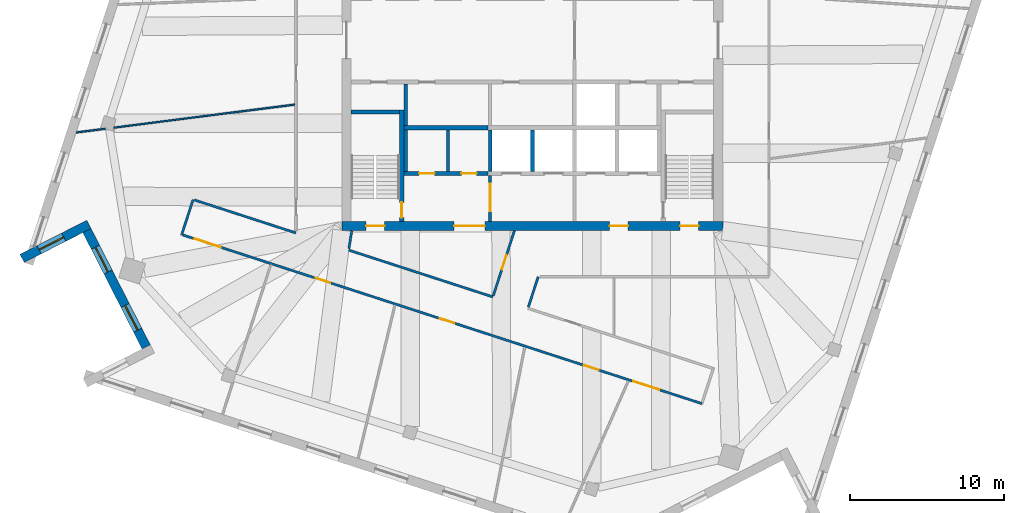
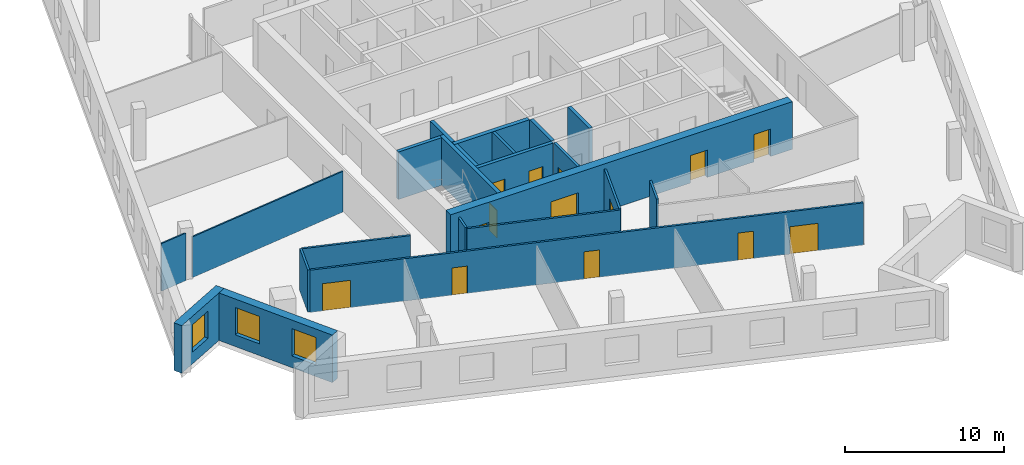
# One storey, part 6 of 13: 22 walls, 14 doors, 3 windows, 17 openings.
"""IFC4 building model written with IfcOpenShell, lengths in metres."""

from ifc_helpers import new_model, si_unit, direction, frame, frame_2d, origin, place, context, subcontext, project, spatial, rectangle, extrude, material, layer, layer_set, type_object, element, fill, save


model = new_model("IFC4")

# Units and contexts
model_context = context("Model", 3, precision=1e-05, world=origin(), true_north=direction((0.0, 1.0)))
body_context = subcontext(model_context, "Body", "Model", "MODEL_VIEW")
ifc_project = project(units=[si_unit("LENGTHUNIT", "METRE"), si_unit("AREAUNIT", "SQUARE_METRE"), si_unit("VOLUMEUNIT", "CUBIC_METRE"), si_unit("PLANEANGLEUNIT", "RADIAN"), si_unit("MASSUNIT", "GRAM", prefix="KILO")], contexts=[model_context])

# Site, building, storey
site_placement = place(None, origin())
site = spatial("IfcSite", under=ifc_project, at=site_placement, CompositionType="ELEMENT")
building_placement = place(site_placement, origin())
building = spatial("IfcBuilding", under=site, at=building_placement, Name="Dilmun Exchange Tower", CompositionType="ELEMENT")
storey_placement = place(building_placement, frame((0.0, 0.0, 320.5)))
storey = spatial("IfcBuildingStorey", under=building, at=storey_placement, Name="L76", CompositionType="ELEMENT", Elevation=320.5)

# Wall, opening, door
ifc_material_1 = material(Name="Concrete C40/50", Category="concrete")
ifc_layer_1 = layer(ifc_material_1, 0.199951171875)
ifc_layer_set_1 = layer_set([ifc_layer_1], Name="Concrete C40/50")
wall_type_1 = type_object("IfcWallType", Name="Core partition wall 200", PredefinedType="PARTITIONING", material=ifc_layer_set_1)
wall_1_placement = place(storey_placement, frame((-2.75, -11.794921875, 0.0), z_axis=(0.0, 0.0, 1.0), x_axis=(0.0, 1.0, 0.0)))
wall_1 = element("IfcWall", 1, at=wall_1_placement, inside=storey, type_object=wall_type_1, Name="L76 core partition wall 01", PredefinedType="PARTITIONING", context=body_context, shape_type="SweptSolid", body=[
    extrude(rectangle(XDim=2.989990234375, YDim=0.199951171875, at=frame_2d((1.4951171875, 0.0))), origin(), (0.0, 0.0, 1.0), 3.64990234375),
])
opening_1_placement = place(wall_1_placement, frame((0.657470703125, 0.0, 0.0)))
opening_1 = element("IfcOpeningElement", 2, at=opening_1_placement, cuts=wall_1, Name="Opening CD5", PredefinedType="OPENING", context=body_context, shape_type="SweptSolid", body=[
    extrude(rectangle(XDim=1.800048828125, YDim=2.10009765625, at=frame_2d((0.89990234375, 1.050048828125))), frame((0.0, 0.10986328125, 0.0), z_axis=(0.0, -1.0, 0.0), x_axis=(1.0, 0.0, 0.0)), (0.0, 0.0, 1.0), 0.219970703125),
])
ifc_material_2 = material(Name="Fire-rated steel door set", Category="steel")
door_type_1 = type_object("IfcDoorType", Name="Stair exit door 1800x2100", OperationType="SINGLE_SWING_LEFT", PredefinedType="DOOR", material=ifc_material_2)
door_1_placement = place(opening_1_placement, origin())
door_1 = element("IfcDoor", 3, at=door_1_placement, inside=storey, type_object=door_type_1, Name="L76 door Service lobby east", OperationType="SINGLE_SWING_LEFT", OverallHeight=2.10009765625, OverallWidth=1.800048828125, PredefinedType="DOOR", context=body_context, shape_type="SweptSolid", body=[
    extrude(rectangle(XDim=1.800048828125, YDim=2.10009765625, at=frame_2d((0.89990234375, 1.050048828125))), frame((0.0, 0.02490234375, 0.0), z_axis=(0.0, -1.0, 0.0), x_axis=(1.0, 0.0, 0.0)), (0.0, 0.0, 1.0), 0.050048828125),
])
fill(opening_1, door_1)

# Wall
wall_2_placement = place(storey_placement, frame((-5.5, -8.544921875, 0.0), z_axis=(0.0, 0.0, 1.0), x_axis=(0.0, 1.0, 0.0)))
element("IfcWall", 4, at=wall_2_placement, inside=storey, type_object=wall_type_1, Name="L76 core partition wall 05", PredefinedType="PARTITIONING", context=body_context, shape_type="SweptSolid", body=[
    extrude(rectangle(XDim=2.68994140625, YDim=0.199951171875, at=frame_2d((1.344970703125, 0.0))), origin(), (0.0, 0.0, 1.0), 3.64990234375),
])

# Wall, openings, doors
ifc_layer_2 = layer(ifc_material_1, 0.25)
ifc_layer_set_2 = layer_set([ifc_layer_2], Name="Concrete C40/50")
wall_type_2 = type_object("IfcWallType", Name="Core partition wall 250", PredefinedType="PARTITIONING", material=ifc_layer_set_2)
wall_3_placement = place(storey_placement, frame((-8.3701171875, -8.675048828125, 0.0), z_axis=(0.0, 0.0, 1.0), x_axis=(1.0, 0.0, 0.0)))
wall_3 = element("IfcWall", 5, at=wall_3_placement, inside=storey, type_object=wall_type_2, Name="L76 core partition wall 03", PredefinedType="PARTITIONING", context=body_context, shape_type="SweptSolid", body=[
    extrude(rectangle(XDim=5.490234375, YDim=0.25, at=frame_2d((2.7451171875, 0.0))), origin(), (0.0, 0.0, 1.0), 3.64990234375),
])
opening_2_placement = place(wall_3_placement, frame((0.9951171875, 0.0, 0.0)))
opening_2 = element("IfcOpeningElement", 6, at=opening_2_placement, cuts=wall_3, Name="Opening CD4", PredefinedType="OPENING", context=body_context, shape_type="SweptSolid", body=[
    extrude(rectangle(XDim=1.0, YDim=2.10009765625, at=frame_2d((0.5, 1.050048828125))), frame((0.0, 0.135009765625, 0.0), z_axis=(0.0, -1.0, 0.0), x_axis=(1.0, 0.0, 0.0)), (0.0, 0.0, 1.0), 0.27001953125),
])
opening_3_placement = place(wall_3_placement, frame((3.7451171875, 0.0, 0.0)))
opening_3 = element("IfcOpeningElement", 7, at=opening_3_placement, cuts=wall_3, Name="Opening CD4", PredefinedType="OPENING", context=body_context, shape_type="SweptSolid", body=[
    extrude(rectangle(XDim=1.0, YDim=2.10009765625, at=frame_2d((0.5, 1.050048828125))), frame((0.0, 0.135009765625, 0.0), z_axis=(0.0, -1.0, 0.0), x_axis=(1.0, 0.0, 0.0)), (0.0, 0.0, 1.0), 0.27001953125),
])
door_type_2 = type_object("IfcDoorType", Name="Core room door 1000x2100", OperationType="SINGLE_SWING_LEFT", PredefinedType="DOOR", material=ifc_material_2)
door_2_placement = place(opening_2_placement, origin())
door_2 = element("IfcDoor", 8, at=door_2_placement, inside=storey, type_object=door_type_2, Name="L76 door Male WC", OperationType="SINGLE_SWING_LEFT", OverallHeight=2.10009765625, OverallWidth=1.0, PredefinedType="DOOR", context=body_context, shape_type="SweptSolid", body=[
    extrude(rectangle(XDim=1.0, YDim=2.10009765625, at=frame_2d((0.5, 1.050048828125))), frame((0.0, 0.02490234375, 0.0), z_axis=(0.0, -1.0, 0.0), x_axis=(1.0, 0.0, 0.0)), (0.0, 0.0, 1.0), 0.050048828125),
])
fill(opening_2, door_2)
door_3_placement = place(opening_3_placement, origin())
door_3 = element("IfcDoor", 9, at=door_3_placement, inside=storey, type_object=door_type_2, Name="L76 door Female WC", OperationType="SINGLE_SWING_LEFT", OverallHeight=2.10009765625, OverallWidth=1.0, PredefinedType="DOOR", context=body_context, shape_type="SweptSolid", body=[
    extrude(rectangle(XDim=1.0, YDim=2.10009765625, at=frame_2d((0.5, 1.050048828125))), frame((0.0, 0.02490234375, 0.0), z_axis=(0.0, -1.0, 0.0), x_axis=(1.0, 0.0, 0.0)), (0.0, 0.0, 1.0), 0.050048828125),
])
fill(opening_3, door_3)

# Walls
for number, where, z_axis, x_axis, name in (
    (10, (-8.25, -8.544921875, 0.0), (0.0, 0.0, 1.0), (0.0, 1.0, 0.0), "L76 core partition wall 04"),
    (11, (-8.25, -5.544921875, 0.0), (0.0, 0.0, 1.0), (0.0, 1.0, 0.0), "L76 core partition wall 07"),
):
    element("IfcWall", number, at=place(storey_placement, frame(where, z_axis=z_axis, x_axis=x_axis)), inside=storey, type_object=wall_type_2, Name=name, PredefinedType="PARTITIONING", context=body_context, shape_type="SweptSolid", body=[
        extrude(rectangle(XDim=2.68994140625, YDim=0.25, at=frame_2d((1.344970703125, 0.0))), origin(), (0.0, 0.0, 1.0), 3.64990234375),
    ])
ifc_layer_3 = layer(ifc_material_1, 0.300048828125)
ifc_layer_set_3 = layer_set([ifc_layer_3], Name="Concrete C40/50")
wall_type_3 = type_object("IfcWallType", Name="Core partition wall 300", PredefinedType="PARTITIONING", material=ifc_layer_set_3)
wall_4_placement = place(storey_placement, frame((-8.35009765625, -5.699951171875, 0.0), z_axis=(0.0, 0.0, 1.0), x_axis=(1.0, 0.0, 0.0)))
element("IfcWall", 12, at=wall_4_placement, inside=storey, type_object=wall_type_3, Name="L76 core partition wall 06", PredefinedType="PARTITIONING", context=body_context, shape_type="SweptSolid", body=[
    extrude(rectangle(XDim=5.47021484375, YDim=0.300048828125, at=frame_2d((2.735107421875, 0.0))), origin(), (0.0, 0.0, 1.0), 3.64990234375),
])

# Wall, openings, doors
ifc_material_3 = material(Name="Concrete C50/60", Category="concrete")
ifc_layer_4 = layer(ifc_material_3, 0.60009765625)
ifc_layer_set_4 = layer_set([ifc_layer_4], Name="Concrete C50/60")
wall_type_4 = type_object("IfcWallType", Name="Core shear wall 600 Concrete C50/60", PredefinedType="SHEAR", material=ifc_layer_set_4)
wall_5_placement = place(storey_placement, frame((-12.39990234375, -12.10009765625, 0.0), z_axis=(0.0, 0.0, 1.0), x_axis=(1.0, 0.0, 0.0)))
wall_5 = element("IfcWall", 13, at=wall_5_placement, inside=storey, type_object=wall_type_4, Name="L76 core shear wall S", PredefinedType="SHEAR", context=body_context, shape_type="SweptSolid", body=[
    extrude(rectangle(XDim=24.7998046875, YDim=0.60009765625, at=frame_2d((12.39990234375, 0.0))), origin(), (0.0, 0.0, 1.0), 3.64990234375),
])
opening_4_placement = place(wall_5_placement, frame((7.300048828125, 0.0, 0.0)))
opening_4 = element("IfcOpeningElement", 14, at=opening_4_placement, cuts=wall_5, Name="Opening CD2", PredefinedType="OPENING", context=body_context, shape_type="SweptSolid", body=[
    extrude(rectangle(XDim=2.0, YDim=2.10009765625, at=frame_2d((1.0, 1.050048828125))), frame((0.0, 0.31005859375, 0.0), z_axis=(0.0, -1.0, 0.0), x_axis=(1.0, 0.0, 0.0)), (0.0, 0.0, 1.0), 0.6201171875),
])
opening_5_placement = place(wall_5_placement, frame((17.425048828125, 0.0, 0.0)))
opening_5 = element("IfcOpeningElement", 15, at=opening_5_placement, cuts=wall_5, Name="Opening CD3", PredefinedType="OPENING", context=body_context, shape_type="SweptSolid", body=[
    extrude(rectangle(XDim=1.199951171875, YDim=2.10009765625, at=frame_2d((0.60009765625, 1.050048828125))), frame((0.0, 0.31005859375, 0.0), z_axis=(0.0, -1.0, 0.0), x_axis=(1.0, 0.0, 0.0)), (0.0, 0.0, 1.0), 0.6201171875),
])
opening_6_placement = place(wall_5_placement, frame((1.574951171875, 0.0, 0.0)))
opening_6 = element("IfcOpeningElement", 16, at=opening_6_placement, cuts=wall_5, Name="Opening CD3", PredefinedType="OPENING", context=body_context, shape_type="SweptSolid", body=[
    extrude(rectangle(XDim=1.199951171875, YDim=2.10009765625, at=frame_2d((0.60009765625, 1.050048828125))), frame((0.0, 0.31005859375, 0.0), z_axis=(0.0, -1.0, 0.0), x_axis=(1.0, 0.0, 0.0)), (0.0, 0.0, 1.0), 0.6201171875),
])
opening_7_placement = place(wall_5_placement, frame((22.02490234375, 0.0, 0.0)))
opening_7 = element("IfcOpeningElement", 17, at=opening_7_placement, cuts=wall_5, Name="Opening CD3", PredefinedType="OPENING", context=body_context, shape_type="SweptSolid", body=[
    extrude(rectangle(XDim=1.199951171875, YDim=2.10009765625, at=frame_2d((0.60009765625, 1.050048828125))), frame((0.0, 0.31005859375, 0.0), z_axis=(0.0, -1.0, 0.0), x_axis=(1.0, 0.0, 0.0)), (0.0, 0.0, 1.0), 0.6201171875),
])
door_type_3 = type_object("IfcDoorType", Name="Core service door 2000x2100", OperationType="DOUBLE_DOOR_DOUBLE_SWING", PredefinedType="DOOR", material=ifc_material_2)
door_4_placement = place(opening_4_placement, origin())
door_4 = element("IfcDoor", 18, at=door_4_placement, inside=storey, type_object=door_type_3, Name="L76 door South service lobby", OperationType="SINGLE_SWING_LEFT", OverallHeight=2.10009765625, OverallWidth=2.0, PredefinedType="DOOR", context=body_context, shape_type="SweptSolid", body=[
    extrude(rectangle(XDim=2.0, YDim=2.10009765625, at=frame_2d((1.0, 1.050048828125))), frame((0.0, 0.02490234375, 0.0), z_axis=(0.0, -1.0, 0.0), x_axis=(1.0, 0.0, 0.0)), (0.0, 0.0, 1.0), 0.050048828125),
])
fill(opening_4, door_4)
door_type_4 = type_object("IfcDoorType", Name="Stair exit door 1200x2100", OperationType="SINGLE_SWING_LEFT", PredefinedType="DOOR", material=ifc_material_2)
door_5_placement = place(opening_5_placement, origin())
door_5 = element("IfcDoor", 19, at=door_5_placement, inside=storey, type_object=door_type_4, Name="L76 door Fire-fighting lobby", OperationType="SINGLE_SWING_LEFT", OverallHeight=2.10009765625, OverallWidth=1.199951171875, PredefinedType="DOOR", context=body_context, shape_type="SweptSolid", body=[
    extrude(rectangle(XDim=1.199951171875, YDim=2.10009765625, at=frame_2d((0.60009765625, 1.050048828125))), frame((0.0, 0.02490234375, 0.0), z_axis=(0.0, -1.0, 0.0), x_axis=(1.0, 0.0, 0.0)), (0.0, 0.0, 1.0), 0.050048828125),
])
fill(opening_5, door_5)
door_6_placement = place(opening_6_placement, origin())
door_6 = element("IfcDoor", 20, at=door_6_placement, inside=storey, type_object=door_type_4, Name="L76 door Stair ST2", OperationType="SINGLE_SWING_LEFT", OverallHeight=2.10009765625, OverallWidth=1.199951171875, PredefinedType="DOOR", context=body_context, shape_type="SweptSolid", body=[
    extrude(rectangle(XDim=1.199951171875, YDim=2.10009765625, at=frame_2d((0.60009765625, 1.050048828125))), frame((0.0, 0.02490234375, 0.0), z_axis=(0.0, -1.0, 0.0), x_axis=(1.0, 0.0, 0.0)), (0.0, 0.0, 1.0), 0.050048828125),
])
fill(opening_6, door_6)
door_7_placement = place(opening_7_placement, origin())
door_7 = element("IfcDoor", 21, at=door_7_placement, inside=storey, type_object=door_type_4, Name="L76 door Stair ST3", OperationType="SINGLE_SWING_LEFT", OverallHeight=2.10009765625, OverallWidth=1.199951171875, PredefinedType="DOOR", context=body_context, shape_type="SweptSolid", body=[
    extrude(rectangle(XDim=1.199951171875, YDim=2.10009765625, at=frame_2d((0.60009765625, 1.050048828125))), frame((0.0, 0.02490234375, 0.0), z_axis=(0.0, -1.0, 0.0), x_axis=(1.0, 0.0, 0.0)), (0.0, 0.0, 1.0), 0.050048828125),
])
fill(opening_7, door_7)

# Wall
ifc_material_4 = material(Name="Corridor wall 150")
ifc_layer_5 = layer(ifc_material_4, 0.14990234375)
ifc_layer_set_5 = layer_set([ifc_layer_5], Name="Corridor wall 150")
wall_type_5 = type_object("IfcWallType", Name="Corridor wall 150", PredefinedType="PARTITIONING", material=ifc_layer_set_5)
wall_6_placement = place(storey_placement, frame((-22.833984375, -12.653076171875, 0.0), z_axis=(0.0, 0.0, 1.0), x_axis=(0.309198799084, 0.950997425152, 0.0)))
element("IfcWall", 22, at=wall_6_placement, inside=storey, type_object=wall_type_5, Name="Corridor wall", PredefinedType="PARTITIONING", context=body_context, shape_type="SweptSolid", body=[
    extrude(rectangle(XDim=2.399658203125, YDim=0.14990234375, at=frame_2d((1.19970703125, 0.0))), origin(), (0.0, 0.0, 1.0), 3.25),
])

# Wall, openings, doors
wall_7_placement = place(storey_placement, frame((-22.7626953125, -12.67626953125, 0.0), z_axis=(0.0, 0.0, 1.0), x_axis=(0.951055018443, -0.309021604252, 0.0)))
wall_7 = element("IfcWall", 23, at=wall_7_placement, inside=storey, type_object=wall_type_5, Name="Corridor wall", PredefinedType="PARTITIONING", context=body_context, shape_type="SweptSolid", body=[
    extrude(rectangle(XDim=35.536865234375, YDim=0.14990234375, at=frame_2d((17.7685546875, 0.0))), origin(), (0.0, 0.0, 1.0), 3.25),
])
opening_8_placement = place(wall_7_placement, frame((0.800048828125, 0.0, 0.0)))
opening_8 = element("IfcOpeningElement", 24, at=opening_8_placement, cuts=wall_7, Name="Opening TF75-D01", PredefinedType="OPENING", context=body_context, shape_type="SweptSolid", body=[
    extrude(rectangle(XDim=1.800048828125, YDim=2.10009765625, at=frame_2d((0.89990234375, 1.050048828125))), frame((0.0, 0.0849609375, 0.0), z_axis=(0.0, -1.0, 0.0), x_axis=(1.0, 0.0, 0.0)), (0.0, 0.0, 1.0), 0.169921875),
])
opening_9_placement = place(wall_7_placement, frame((9.09765625, 0.0, 0.0)))
opening_9 = element("IfcOpeningElement", 25, at=opening_9_placement, cuts=wall_7, Name="Opening TF75-D05", PredefinedType="OPENING", context=body_context, shape_type="SweptSolid", body=[
    extrude(rectangle(XDim=1.0, YDim=2.10009765625, at=frame_2d((0.5, 1.050048828125))), frame((0.0, 0.0849609375, 0.0), z_axis=(0.0, -1.0, 0.0), x_axis=(1.0, 0.0, 0.0)), (0.0, 0.0, 1.0), 0.169921875),
])
opening_10_placement = place(wall_7_placement, frame((17.589111328125, 0.0, 0.0)))
opening_10 = element("IfcOpeningElement", 26, at=opening_10_placement, cuts=wall_7, Name="Opening TF75-D08", PredefinedType="OPENING", context=body_context, shape_type="SweptSolid", body=[
    extrude(rectangle(XDim=1.0, YDim=2.10009765625, at=frame_2d((0.5, 1.050048828125))), frame((0.0, 0.0849609375, 0.0), z_axis=(0.0, -1.0, 0.0), x_axis=(1.0, 0.0, 0.0)), (0.0, 0.0, 1.0), 0.169921875),
])
opening_11_placement = place(wall_7_placement, frame((27.47265625, 0.0, 0.0)))
opening_11 = element("IfcOpeningElement", 27, at=opening_11_placement, cuts=wall_7, Name="Opening TF75-D12", PredefinedType="OPENING", context=body_context, shape_type="SweptSolid", body=[
    extrude(rectangle(XDim=1.0, YDim=2.10009765625, at=frame_2d((0.5, 1.050048828125))), frame((0.0, 0.0849609375, 0.0), z_axis=(0.0, -1.0, 0.0), x_axis=(1.0, 0.0, 0.0)), (0.0, 0.0, 1.0), 0.169921875),
])
opening_12_placement = place(wall_7_placement, frame((30.82958984375, 0.0, 0.0)))
opening_12 = element("IfcOpeningElement", 28, at=opening_12_placement, cuts=wall_7, Name="Opening TF75-D16", PredefinedType="OPENING", context=body_context, shape_type="SweptSolid", body=[
    extrude(rectangle(XDim=1.800048828125, YDim=2.10009765625, at=frame_2d((0.89990234375, 1.050048828125))), frame((0.0, 0.0849609375, 0.0), z_axis=(0.0, -1.0, 0.0), x_axis=(1.0, 0.0, 0.0)), (0.0, 0.0, 1.0), 0.169921875),
])
ifc_material_5 = material(Name="Fire door 1000 x 2100")
door_type_5 = type_object("IfcDoorType", Name="Fire door 1000 x 2100", OperationType="NOTDEFINED", PredefinedType="DOOR", material=ifc_material_5)
door_8_placement = place(opening_9_placement, frame((1.0, 0.0, 0.0), z_axis=(0.0, 0.0, 1.0), x_axis=(-1.0, 0.0, 0.0)))
door_8 = element("IfcDoor", 29, at=door_8_placement, inside=storey, type_object=door_type_5, Name="Door TF75-D05", OperationType="SINGLE_SWING_RIGHT", OverallHeight=2.10009765625, OverallWidth=1.0, PredefinedType="DOOR", context=body_context, shape_type="SweptSolid", body=[
    extrude(rectangle(XDim=1.0, YDim=2.10009765625, at=frame_2d((0.5, 1.050048828125))), frame((0.0, 0.02490234375, 0.0), z_axis=(0.0, -1.0, 0.0), x_axis=(1.0, 0.0, 0.0)), (0.0, 0.0, 1.0), 0.050048828125),
])
fill(opening_9, door_8)
door_9_placement = place(opening_10_placement, frame((1.0, 0.0, 0.0), z_axis=(0.0, 0.0, 1.0), x_axis=(-1.0, 0.0, 0.0)))
door_9 = element("IfcDoor", 30, at=door_9_placement, inside=storey, type_object=door_type_5, Name="Door TF75-D08", OperationType="SINGLE_SWING_RIGHT", OverallHeight=2.10009765625, OverallWidth=1.0, PredefinedType="DOOR", context=body_context, shape_type="SweptSolid", body=[
    extrude(rectangle(XDim=1.0, YDim=2.10009765625, at=frame_2d((0.5, 1.050048828125))), frame((0.0, 0.02490234375, 0.0), z_axis=(0.0, -1.0, 0.0), x_axis=(1.0, 0.0, 0.0)), (0.0, 0.0, 1.0), 0.050048828125),
])
fill(opening_10, door_9)
door_10_placement = place(opening_11_placement, frame((1.0, 0.0, 0.0), z_axis=(0.0, 0.0, 1.0), x_axis=(-1.0, 0.0, 0.0)))
door_10 = element("IfcDoor", 31, at=door_10_placement, inside=storey, type_object=door_type_5, Name="Door TF75-D12", OperationType="SINGLE_SWING_RIGHT", OverallHeight=2.10009765625, OverallWidth=1.0, PredefinedType="DOOR", context=body_context, shape_type="SweptSolid", body=[
    extrude(rectangle(XDim=1.0, YDim=2.10009765625, at=frame_2d((0.5, 1.050048828125))), frame((0.0, 0.02490234375, 0.0), z_axis=(0.0, -1.0, 0.0), x_axis=(1.0, 0.0, 0.0)), (0.0, 0.0, 1.0), 0.050048828125),
])
fill(opening_11, door_10)
ifc_material_6 = material(Name="Fire door pair 1800 x 2100")
door_type_6 = type_object("IfcDoorType", Name="Fire door pair 1800 x 2100", OperationType="NOTDEFINED", PredefinedType="DOOR", material=ifc_material_6)
door_11_placement = place(opening_8_placement, frame((1.800048828125, 0.0, 0.0), z_axis=(0.0, 0.0, 1.0), x_axis=(-1.0, 0.0, 0.0)))
door_11 = element("IfcDoor", 32, at=door_11_placement, inside=storey, type_object=door_type_6, Name="Door TF75-D01", OperationType="DOUBLE_DOOR_SINGLE_SWING", OverallHeight=2.10009765625, OverallWidth=1.800048828125, PredefinedType="DOOR", context=body_context, shape_type="SweptSolid", body=[
    extrude(rectangle(XDim=1.800048828125, YDim=2.10009765625, at=frame_2d((0.89990234375, 1.050048828125))), frame((0.0, 0.02490234375, 0.0), z_axis=(0.0, -1.0, 0.0), x_axis=(1.0, 0.0, 0.0)), (0.0, 0.0, 1.0), 0.050048828125),
])
fill(opening_8, door_11)
door_12_placement = place(opening_12_placement, frame((1.800048828125, 0.0, 0.0), z_axis=(0.0, 0.0, 1.0), x_axis=(-1.0, 0.0, 0.0)))
door_12 = element("IfcDoor", 33, at=door_12_placement, inside=storey, type_object=door_type_6, Name="Door TF75-D16", OperationType="DOUBLE_DOOR_SINGLE_SWING", OverallHeight=2.10009765625, OverallWidth=1.800048828125, PredefinedType="DOOR", context=body_context, shape_type="SweptSolid", body=[
    extrude(rectangle(XDim=1.800048828125, YDim=2.10009765625, at=frame_2d((0.89990234375, 1.050048828125))), frame((0.0, 0.02490234375, 0.0), z_axis=(0.0, -1.0, 0.0), x_axis=(1.0, 0.0, 0.0)), (0.0, 0.0, 1.0), 0.050048828125),
])
fill(opening_12, door_12)

# Walls
wall_8_placement = place(storey_placement, frame((-22.020751953125, -10.394287109375, 0.0), z_axis=(0.0, 0.0, 1.0), x_axis=(0.951082252119, -0.308937776427, 0.0)))
element("IfcWall", 34, at=wall_8_placement, inside=storey, type_object=wall_type_5, Name="Corridor wall", PredefinedType="PARTITIONING", context=body_context, shape_type="SweptSolid", body=[
    extrude(rectangle(XDim=6.96142578125, YDim=0.14990234375, at=frame_2d((3.480712890625, 0.0))), origin(), (0.0, 0.0, 1.0), 3.25),
])
wall_9_placement = place(storey_placement, frame((-11.962890625, -13.662109375, 0.0), z_axis=(0.0, 0.0, 1.0), x_axis=(0.951081492471, -0.308940115036, 0.0)))
element("IfcWall", 35, at=wall_9_placement, inside=storey, type_object=wall_type_5, Name="Corridor wall", PredefinedType="PARTITIONING", context=body_context, shape_type="SweptSolid", body=[
    extrude(rectangle(XDim=9.871826171875, YDim=0.14990234375, at=frame_2d((4.93603515625, 0.0))), origin(), (0.0, 0.0, 1.0), 3.25),
])
wall_10_placement = place(storey_placement, frame((-11.94921875, -13.5751953125, 0.0), z_axis=(0.0, 0.0, 1.0), x_axis=(0.156542003239, 0.987671302216, 0.0)))
element("IfcWall", 36, at=wall_10_placement, inside=storey, type_object=wall_type_5, Name="Corridor wall", PredefinedType="PARTITIONING", context=body_context, shape_type="SweptSolid", body=[
    extrude(rectangle(XDim=1.18994140625, YDim=0.14990234375, at=frame_2d((0.594970703125, 0.0))), origin(), (0.0, 0.0, 1.0), 3.25),
])

# Wall, opening, door
wall_11_placement = place(storey_placement, frame((-2.55078125, -16.640625, 0.0), z_axis=(0.0, 0.0, 1.0), x_axis=(0.309172730038, 0.951005900613, 0.0)))
wall_11 = element("IfcWall", 37, at=wall_11_placement, inside=storey, type_object=wall_type_5, Name="Corridor wall", PredefinedType="PARTITIONING", context=body_context, shape_type="SweptSolid", body=[
    extrude(rectangle(XDim=4.459228515625, YDim=0.14990234375, at=frame_2d((2.2294921875, 0.0))), origin(), (0.0, 0.0, 1.0), 3.25),
])
opening_13_placement = place(wall_11_placement, frame((1.800048828125, 0.0, 0.0)))
opening_13 = element("IfcOpeningElement", 38, at=opening_13_placement, cuts=wall_11, Name="Opening TF75-D09", PredefinedType="OPENING", context=body_context, shape_type="SweptSolid", body=[
    extrude(rectangle(XDim=1.0, YDim=2.10009765625, at=frame_2d((0.5, 1.050048828125))), frame((0.0, 0.0849609375, 0.0), z_axis=(0.0, -1.0, 0.0), x_axis=(1.0, 0.0, 0.0)), (0.0, 0.0, 1.0), 0.169921875),
])
door_13_placement = place(opening_13_placement, origin())
door_13 = element("IfcDoor", 39, at=door_13_placement, inside=storey, type_object=door_type_5, Name="Door TF75-D09", OperationType="SINGLE_SWING_LEFT", OverallHeight=2.10009765625, OverallWidth=1.0, PredefinedType="DOOR", context=body_context, shape_type="SweptSolid", body=[
    extrude(rectangle(XDim=1.0, YDim=2.10009765625, at=frame_2d((0.5, 1.050048828125))), frame((0.0, 0.02490234375, 0.0), z_axis=(0.0, -1.0, 0.0), x_axis=(1.0, 0.0, 0.0)), (0.0, 0.0, 1.0), 0.050048828125),
])
fill(opening_13, door_13)

# Walls
wall_12_placement = place(storey_placement, frame((-0.267822265625, -17.3828125, 0.0), z_axis=(0.0, 0.0, 1.0), x_axis=(0.308805378048, 0.951125248581, 0.0)))
element("IfcWall", 40, at=wall_12_placement, inside=storey, type_object=wall_type_5, Name="Corridor wall", PredefinedType="PARTITIONING", context=body_context, shape_type="SweptSolid", body=[
    extrude(rectangle(XDim=2.084716796875, YDim=0.14990234375, at=frame_2d((1.04248046875, 0.0))), origin(), (0.0, 0.0, 1.0), 3.64990234375),
])
ifc_layer_6 = layer(ifc_material_1, 0.25)
ifc_layer_set_6 = layer_set([ifc_layer_6], Name="Concrete C40/50")
wall_type_6 = type_object("IfcWallType", Name="Lift shaft wall 250", PredefinedType="SOLIDWALL", material=ifc_layer_set_6)
for number, where, z_axis, x_axis, name in (
    (41, (-2.75, -8.550048828125, 0.0), (0.0, 0.0, 1.0), (0.0, 1.0, 0.0), "L76 lift shaft divider S22"),
    (42, (0.0, -8.550048828125, 0.0), (0.0, 0.0, 1.0), (0.0, 1.0, 0.0), "L76 lift shaft divider S23"),
):
    element("IfcWall", number, at=place(storey_placement, frame(where, z_axis=z_axis, x_axis=x_axis)), inside=storey, type_object=wall_type_6, Name=name, PredefinedType="SOLIDWALL", context=body_context, shape_type="SweptSolid", body=[
        extrude(rectangle(XDim=2.699951171875, YDim=0.25, at=frame_2d((1.35009765625, 0.0))), origin(), (0.0, 0.0, 1.0), 3.64990234375),
    ])
ifc_material_7 = material(Name="Partition 100")
ifc_layer_7 = layer(ifc_material_7, 0.10009765625)
ifc_layer_set_7 = layer_set([ifc_layer_7], Name="Partition 100")
wall_type_7 = type_object("IfcWallType", Name="Partition 100", PredefinedType="PARTITIONING", material=ifc_layer_set_7)
wall_13_placement = place(storey_placement, frame((-29.707275390625, -6.003662109375, 0.0), z_axis=(0.0, 0.0, 1.0), x_axis=(0.991958310613, 0.126565042593, 0.0)))
element("IfcWall", 43, at=wall_13_placement, inside=storey, type_object=wall_type_7, Name="Partition", PredefinedType="PARTITIONING", context=body_context, shape_type="SweptSolid", body=[
    extrude(rectangle(XDim=1.91162109375, YDim=0.10009765625, at=frame_2d((0.955810546875, 0.0))), origin(), (0.0, 0.0, 1.0), 3.64990234375),
])
wall_14_placement = place(storey_placement, frame((-27.27880859375, -5.69384765625, 0.0), z_axis=(0.0, 0.0, 1.0), x_axis=(0.991957239154, 0.126573439907, 0.0)))
element("IfcWall", 44, at=wall_14_placement, inside=storey, type_object=wall_type_7, Name="Partition", PredefinedType="PARTITIONING", context=body_context, shape_type="SweptSolid", body=[
    extrude(rectangle(XDim=11.893310546875, YDim=0.10009765625, at=frame_2d((5.94677734375, 0.0))), origin(), (0.0, 0.0, 1.0), 3.1298828125),
])

# Wall, opening, window
ifc_material_8 = material(Name="Precast concrete C50/60", Category="concrete")
ifc_layer_8 = layer(ifc_material_8, 0.60009765625)
ifc_layer_set_8 = layer_set([ifc_layer_8], Name="Precast concrete C50/60")
wall_type_8 = type_object("IfcWallType", Name="Precast stone-clad wall 600", PredefinedType="STANDARD", material=ifc_layer_set_8)
wall_15_placement = place(storey_placement, frame((-33.227783203125, -14.20458984375, 0.0), z_axis=(0.0, 0.0, 1.0), x_axis=(0.891013179829, 0.453977437073, 0.0)))
wall_15 = element("IfcWall", 45, at=wall_15_placement, inside=storey, type_object=wall_type_8, Name="Facade wall L76-04", PredefinedType="STANDARD", context=body_context, shape_type="SweptSolid", body=[
    extrude(rectangle(XDim=4.88525390625, YDim=0.60009765625, at=frame_2d((2.442626953125, 0.0))), origin(), (0.0, 0.0, 1.0), 3.64990234375),
])
opening_14_placement = place(wall_15_placement, frame((1.242919921875, 0.0, 0.89990234375)))
opening_14 = element("IfcOpeningElement", 46, at=opening_14_placement, cuts=wall_15, Name="Opening W180-210", PredefinedType="OPENING", context=body_context, shape_type="SweptSolid", body=[
    extrude(rectangle(XDim=1.800048828125, YDim=2.10009765625, at=frame_2d((0.89990234375, 1.050048828125))), frame((0.0, 0.31005859375, 0.0), z_axis=(0.0, -1.0, 0.0), x_axis=(1.0, 0.0, 0.0)), (0.0, 0.0, 1.0), 0.6201171875),
])
ifc_material_9 = material(Name="Clear low-emissivity glass in aluminium frame", Category="aluminium")
window_type = type_object("IfcWindowType", Name="Punched window 1800 x 2100", PartitioningType="DOUBLE_PANEL_VERTICAL", PredefinedType="WINDOW", material=ifc_material_9)
window_1_placement = place(opening_14_placement, origin())
window_1 = element("IfcWindow", 47, at=window_1_placement, inside=storey, type_object=window_type, Name="Window 5.1", OverallHeight=2.10009765625, OverallWidth=1.800048828125, PartitioningType="SINGLE_PANEL", PredefinedType="WINDOW", context=body_context, shape_type="SweptSolid", body=[
    extrude(rectangle(XDim=1.800048828125, YDim=2.10009765625, at=frame_2d((0.89990234375, 1.050048828125))), frame((0.0, 0.030029296875, 0.0), z_axis=(0.0, -1.0, 0.0), x_axis=(1.0, 0.0, 0.0)), (0.0, 0.0, 1.0), 0.06005859375),
])
fill(opening_14, window_1)

# Wall, openings, windows
wall_16_placement = place(storey_placement, frame((-29.006103515625, -12.39013671875, 0.0), z_axis=(0.0, 0.0, 1.0), x_axis=(0.453979132966, -0.891012315758, 0.0)))
wall_16 = element("IfcWall", 48, at=wall_16_placement, inside=storey, type_object=wall_type_8, Name="Facade wall L76-05", PredefinedType="STANDARD", context=body_context, shape_type="SweptSolid", body=[
    extrude(rectangle(XDim=8.500244140625, YDim=0.60009765625, at=frame_2d((4.25, 0.0))), origin(), (0.0, 0.0, 1.0), 3.64990234375),
])
opening_15_placement = place(wall_16_placement, frame((1.22509765625, 0.0, 0.89990234375)))
opening_15 = element("IfcOpeningElement", 49, at=opening_15_placement, cuts=wall_16, Name="Opening W180-210", PredefinedType="OPENING", context=body_context, shape_type="SweptSolid", body=[
    extrude(rectangle(XDim=1.800048828125, YDim=2.10009765625, at=frame_2d((0.89990234375, 1.050048828125))), frame((0.0, 0.31005859375, 0.0), z_axis=(0.0, -1.0, 0.0), x_axis=(1.0, 0.0, 0.0)), (0.0, 0.0, 1.0), 0.6201171875),
])
opening_16_placement = place(wall_16_placement, frame((5.47509765625, 0.0, 0.89990234375)))
opening_16 = element("IfcOpeningElement", 50, at=opening_16_placement, cuts=wall_16, Name="Opening W180-210", PredefinedType="OPENING", context=body_context, shape_type="SweptSolid", body=[
    extrude(rectangle(XDim=1.800048828125, YDim=2.10009765625, at=frame_2d((0.89990234375, 1.050048828125))), frame((0.0, 0.31005859375, 0.0), z_axis=(0.0, -1.0, 0.0), x_axis=(1.0, 0.0, 0.0)), (0.0, 0.0, 1.0), 0.6201171875),
])
window_2_placement = place(opening_15_placement, origin())
window_2 = element("IfcWindow", 51, at=window_2_placement, inside=storey, type_object=window_type, Name="Window 6.1", OverallHeight=2.10009765625, OverallWidth=1.800048828125, PartitioningType="SINGLE_PANEL", PredefinedType="WINDOW", context=body_context, shape_type="SweptSolid", body=[
    extrude(rectangle(XDim=1.800048828125, YDim=2.10009765625, at=frame_2d((0.89990234375, 1.050048828125))), frame((0.0, 0.030029296875, 0.0), z_axis=(0.0, -1.0, 0.0), x_axis=(1.0, 0.0, 0.0)), (0.0, 0.0, 1.0), 0.06005859375),
])
fill(opening_15, window_2)
window_3_placement = place(opening_16_placement, origin())
window_3 = element("IfcWindow", 52, at=window_3_placement, inside=storey, type_object=window_type, Name="Window 6.2", OverallHeight=2.10009765625, OverallWidth=1.800048828125, PartitioningType="SINGLE_PANEL", PredefinedType="WINDOW", context=body_context, shape_type="SweptSolid", body=[
    extrude(rectangle(XDim=1.800048828125, YDim=2.10009765625, at=frame_2d((0.89990234375, 1.050048828125))), frame((0.0, 0.030029296875, 0.0), z_axis=(0.0, -1.0, 0.0), x_axis=(1.0, 0.0, 0.0)), (0.0, 0.0, 1.0), 0.06005859375),
])
fill(opening_16, window_3)

# Wall
ifc_layer_9 = layer(ifc_material_1, 0.25)
ifc_layer_set_9 = layer_set([ifc_layer_9], Name="Concrete C40/50")
wall_type_9 = type_object("IfcWallType", Name="Stair end wall 250", PredefinedType="SOLIDWALL", material=ifc_layer_set_9)
wall_17_placement = place(storey_placement, frame((-8.64990234375, -4.675048828125, 0.0), z_axis=(0.0, 0.0, 1.0), x_axis=(-1.0, 0.0, 0.0)))
element("IfcWall", 53, at=wall_17_placement, inside=storey, type_object=wall_type_9, Name="L76 ST2 far wall", PredefinedType="SOLIDWALL", context=body_context, shape_type="SweptSolid", body=[
    extrude(rectangle(XDim=3.150146484375, YDim=0.25, at=frame_2d((1.5751953125, 0.0))), origin(), (0.0, 0.0, 1.0), 3.64990234375),
])

# Wall, opening, door
ifc_layer_10 = layer(ifc_material_1, 0.27490234375)
ifc_layer_set_10 = layer_set([ifc_layer_10], Name="Concrete C40/50")
wall_type_10 = type_object("IfcWallType", Name="Stair wall 275", PredefinedType="SOLIDWALL", material=ifc_layer_set_10)
wall_18_placement = place(storey_placement, frame((-8.512451171875, -4.550048828125, 0.0), z_axis=(0.0, 0.0, 1.0), x_axis=(0.0, -1.0, 0.0)))
wall_18 = element("IfcWall", 54, at=wall_18_placement, inside=storey, type_object=wall_type_10, Name="L76 ST2 wall to lift block", PredefinedType="SOLIDWALL", context=body_context, shape_type="SweptSolid", body=[
    extrude(rectangle(XDim=7.25, YDim=0.27490234375, at=frame_2d((3.625, 0.0))), origin(), (0.0, 0.0, 1.0), 3.64990234375),
])
opening_17_placement = place(wall_18_placement, frame((6.0, 0.0, 0.0)))
opening_17 = element("IfcOpeningElement", 55, at=opening_17_placement, cuts=wall_18, Name="Opening CD4", PredefinedType="OPENING", context=body_context, shape_type="SweptSolid", body=[
    extrude(rectangle(XDim=1.0, YDim=2.10009765625, at=frame_2d((0.5, 1.050048828125))), frame((0.0, 0.1474609375, 0.0), z_axis=(0.0, -1.0, 0.0), x_axis=(1.0, 0.0, 0.0)), (0.0, 0.0, 1.0), 0.294921875),
])
door_14_placement = place(opening_17_placement, origin())
door_14 = element("IfcDoor", 56, at=door_14_placement, inside=storey, type_object=door_type_2, Name="L76 door ST2 from lobby", OperationType="SINGLE_SWING_LEFT", OverallHeight=2.10009765625, OverallWidth=1.0, PredefinedType="DOOR", context=body_context, shape_type="SweptSolid", body=[
    extrude(rectangle(XDim=1.0, YDim=2.10009765625, at=frame_2d((0.5, 1.050048828125))), frame((0.0, 0.02490234375, 0.0), z_axis=(0.0, -1.0, 0.0), x_axis=(1.0, 0.0, 0.0)), (0.0, 0.0, 1.0), 0.050048828125),
])
fill(opening_17, door_14)

save(model, "model.ifc")
